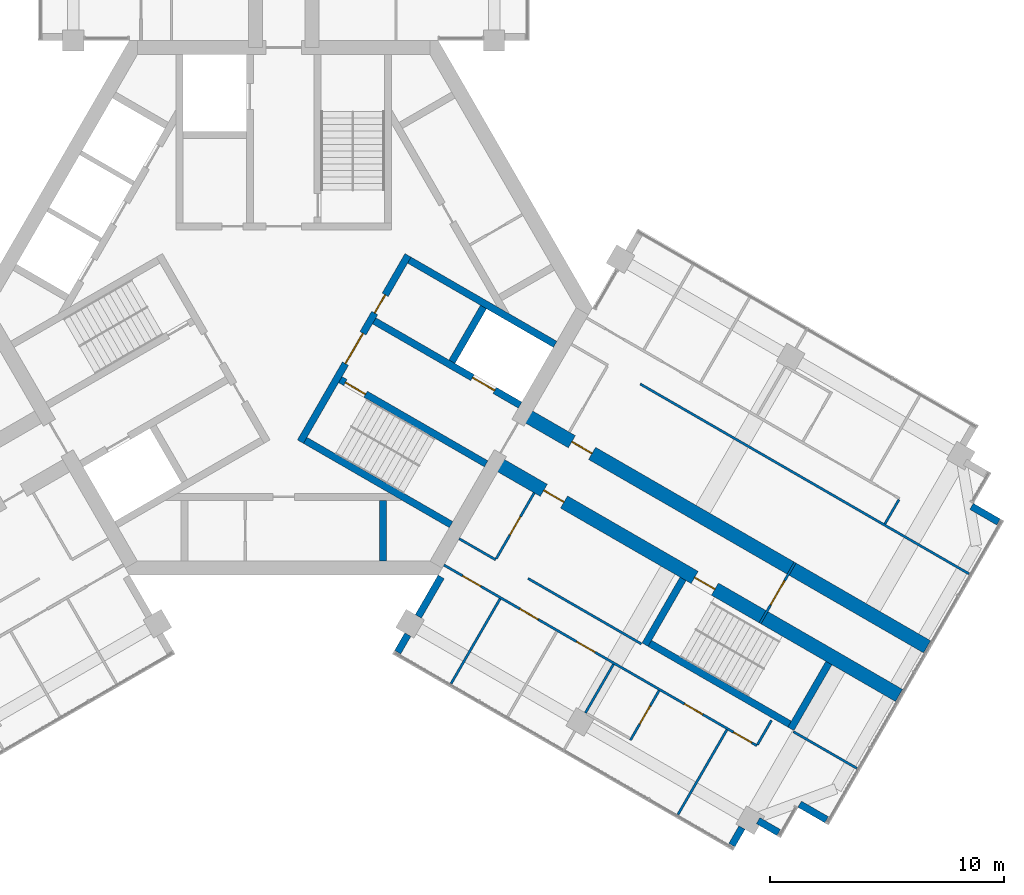
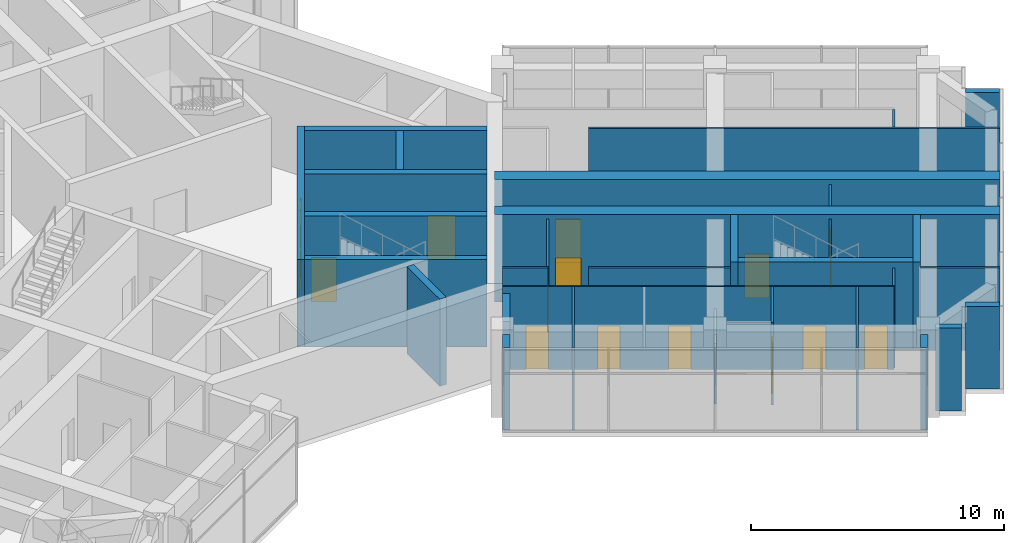
# One storey, part 11 of 14: 31 walls, 15 doors, 15 openings.
"""IFC4 building model written with IfcOpenShell, lengths in metres."""

from ifc_helpers import new_model, si_unit, direction, frame, frame_2d, origin, place, context, subcontext, project, spatial, rectangle, extrude, material, layer, layer_set, type_object, element, fill, save


model = new_model("IFC4")

# Units and contexts
model_context = context("Model", 3, precision=1e-05, world=origin(), true_north=direction((0.0, 1.0)))
body_context = subcontext(model_context, "Body", "Model", "MODEL_VIEW")
ifc_project = project(units=[si_unit("LENGTHUNIT", "METRE"), si_unit("AREAUNIT", "SQUARE_METRE"), si_unit("VOLUMEUNIT", "CUBIC_METRE"), si_unit("PLANEANGLEUNIT", "RADIAN"), si_unit("MASSUNIT", "GRAM", prefix="KILO")], contexts=[model_context])

# Site, building, storey
site_placement = place(None, origin())
site = spatial("IfcSite", under=ifc_project, at=site_placement, CompositionType="ELEMENT")
building_placement = place(site_placement, origin())
building = spatial("IfcBuilding", under=site, at=building_placement, Name="Impinga Residences", CompositionType="ELEMENT")
storey_placement = place(building_placement, frame((0.0, 0.0, 278.949951171875)))
storey = spatial("IfcBuildingStorey", under=building, at=storey_placement, Name="L70", CompositionType="ELEMENT", Elevation=278.949951171875)

# Wall, opening, door
ifc_material_1 = material(Name="Concrete C60/75", Category="concrete")
ifc_layer_1 = layer(ifc_material_1, 0.60009765625)
ifc_layer_set_1 = layer_set([ifc_layer_1], Name="Concrete C60/75")
wall_type_1 = type_object("IfcWallType", Name="BW3 corridor buttress wall, L46 to L73 600", PredefinedType="SHEAR", material=ifc_layer_set_1)
wall_1_placement = place(storey_placement, frame((10.240234375, -4.526611328125, 0.0), z_axis=(0.0, 0.0, 1.0), x_axis=(0.866025922281, -0.499999101937, 0.0)))
wall_1 = element("IfcWall", 1, at=wall_1_placement, inside=storey, type_object=wall_type_1, Name="Corridor wall BW3 EC L70", PredefinedType="SHEAR", context=body_context, shape_type="SweptSolid", body=[
    extrude(rectangle(XDim=19.93798828125, YDim=0.60009765625, at=frame_2d((9.968994140625, 0.0))), origin(), (0.0, 0.0, 1.0), 4.199951171875),
])
opening_1_placement = place(wall_1_placement, frame((2.39990234375, 0.0, 0.0)))
opening_1 = element("IfcOpeningElement", 2, at=opening_1_placement, cuts=wall_1, Name="Opening D1", PredefinedType="OPENING", context=body_context, shape_type="SweptSolid", body=[
    extrude(rectangle(XDim=1.0, YDim=2.10009765625, at=frame_2d((0.5, 1.050048828125))), frame((0.0, 0.31005859375, 0.0), z_axis=(0.0, -1.0, 0.0), x_axis=(1.0, 0.0, 0.0)), (0.0, 0.0, 1.0), 0.6201171875),
])
ifc_material_2 = material(Name="Timber door set", Category="wood")
door_type_1 = type_object("IfcDoorType", Name="D1 apartment entrance door 1000x2100", OperationType="SINGLE_SWING_LEFT", PredefinedType="DOOR", material=ifc_material_2)
door_1_placement = place(opening_1_placement, origin())
door_1 = element("IfcDoor", 3, at=door_1_placement, inside=storey, type_object=door_type_1, Name="Apartment L70-EA1 entrance", OperationType="SINGLE_SWING_LEFT", OverallHeight=2.10009765625, OverallWidth=1.0, PredefinedType="DOOR", context=body_context, shape_type="SweptSolid", body=[
    extrude(rectangle(XDim=1.0, YDim=2.10009765625, at=frame_2d((0.5, 1.050048828125))), frame((0.0, 0.02490234375, 0.0), z_axis=(0.0, -1.0, 0.0), x_axis=(1.0, 0.0, 0.0)), (0.0, 0.0, 1.0), 0.050048828125),
])
fill(opening_1, door_1)

# Wall, openings, doors
wall_2_placement = place(storey_placement, frame((9.040283203125, -6.60498046875, 0.0), z_axis=(0.0, 0.0, 1.0), x_axis=(0.866025922281, -0.499999101937, 0.0)))
wall_2 = element("IfcWall", 4, at=wall_2_placement, inside=storey, type_object=wall_type_1, Name="Corridor wall BW3 ED L70", PredefinedType="SHEAR", context=body_context, shape_type="SweptSolid", body=[
    extrude(rectangle(XDim=19.93798828125, YDim=0.60009765625, at=frame_2d((9.968994140625, 0.0))), origin(), (0.0, 0.0, 1.0), 4.199951171875),
])
opening_2_placement = place(wall_2_placement, frame((9.85009765625, 0.0, 0.0)))
opening_2 = element("IfcOpeningElement", 5, at=opening_2_placement, cuts=wall_2, Name="Opening D5", PredefinedType="OPENING", context=body_context, shape_type="SweptSolid", body=[
    extrude(rectangle(XDim=1.0, YDim=2.10009765625, at=frame_2d((0.5, 1.050048828125))), frame((0.0, 0.31005859375, 0.0), z_axis=(0.0, -1.0, 0.0), x_axis=(1.0, 0.0, 0.0)), (0.0, 0.0, 1.0), 0.6201171875),
])
opening_3_placement = place(wall_2_placement, frame((2.39990234375, 0.0, 0.0)))
opening_3 = element("IfcOpeningElement", 6, at=opening_3_placement, cuts=wall_2, Name="Opening D1", PredefinedType="OPENING", context=body_context, shape_type="SweptSolid", body=[
    extrude(rectangle(XDim=1.0, YDim=2.10009765625, at=frame_2d((0.5, 1.050048828125))), frame((0.0, 0.31005859375, 0.0), z_axis=(0.0, -1.0, 0.0), x_axis=(1.0, 0.0, 0.0)), (0.0, 0.0, 1.0), 0.6201171875),
])
door_2_placement = place(opening_3_placement, origin())
door_2 = element("IfcDoor", 7, at=door_2_placement, inside=storey, type_object=door_type_1, Name="Apartment L70-EF1 entrance", OperationType="SINGLE_SWING_LEFT", OverallHeight=2.10009765625, OverallWidth=1.0, PredefinedType="DOOR", context=body_context, shape_type="SweptSolid", body=[
    extrude(rectangle(XDim=1.0, YDim=2.10009765625, at=frame_2d((0.5, 1.050048828125))), frame((0.0, 0.02490234375, 0.0), z_axis=(0.0, -1.0, 0.0), x_axis=(1.0, 0.0, 0.0)), (0.0, 0.0, 1.0), 0.050048828125),
])
fill(opening_3, door_2)
door_type_2 = type_object("IfcDoorType", Name="D5 stair door 1000x2100", OperationType="SINGLE_SWING_LEFT", PredefinedType="DOOR", material=ifc_material_2)
door_3_placement = place(opening_2_placement, origin())
door_3 = element("IfcDoor", 8, at=door_3_placement, inside=storey, type_object=door_type_2, Name="Wing stair door E", OperationType="SINGLE_SWING_RIGHT", OverallHeight=2.10009765625, OverallWidth=1.0, PredefinedType="DOOR", context=body_context, shape_type="SweptSolid", body=[
    extrude(rectangle(XDim=1.0, YDim=2.10009765625, at=frame_2d((0.5, 1.050048828125))), frame((0.0, 0.02490234375, 0.0), z_axis=(0.0, -1.0, 0.0), x_axis=(1.0, 0.0, 0.0)), (0.0, 0.0, 1.0), 0.050048828125),
])
fill(opening_2, door_3)

# Wall, opening, door
ifc_material_3 = material(Name="Concrete blockwork", Category="masonry")
ifc_layer_2 = layer(ifc_material_3, 0.10009765625)
ifc_layer_set_2 = layer_set([ifc_layer_2], Name="CP1 core room partition, blockwork 100")
wall_type_2 = type_object("IfcWallType", Name="CP1 core room partition, blockwork 100", PredefinedType="PARTITIONING", material=ifc_layer_set_2)
wall_3_placement = place(storey_placement, frame((21.864990234375, -10.891845703125, 0.0), z_axis=(0.0, 0.0, 1.0), x_axis=(-0.50002537861, -0.866010750942, 0.0)))
wall_3 = element("IfcWall", 9, at=wall_3_placement, inside=storey, type_object=wall_type_2, Name="Core room partition, blockwork L70:E:LNG", PredefinedType="PARTITIONING", context=body_context, shape_type="SweptSolid", body=[
    extrude(rectangle(XDim=2.999755859375, YDim=0.10009765625, at=frame_2d((1.5, 0.0))), origin(), (0.0, 0.0, 1.0), 3.97998046875),
])
opening_4_placement = place(wall_3_placement, frame((0.89990234375, 0.0, 0.0)))
opening_4 = element("IfcOpeningElement", 10, at=opening_4_placement, cuts=wall_3, Name="Opening D3", PredefinedType="OPENING", context=body_context, shape_type="SweptSolid", body=[
    extrude(rectangle(XDim=1.199951171875, YDim=2.10009765625, at=frame_2d((0.60009765625, 1.050048828125))), frame((0.0, 0.06005859375, 0.0), z_axis=(0.0, -1.0, 0.0), x_axis=(1.0, 0.0, 0.0)), (0.0, 0.0, 1.0), 0.1201171875),
])
door_type_3 = type_object("IfcDoorType", Name="D3 room door, leaf and a half 1200x2100", OperationType="DOUBLE_SWING_LEFT", PredefinedType="DOOR", material=ifc_material_2)
door_4_placement = place(opening_4_placement, origin())
door_4 = element("IfcDoor", 11, at=door_4_placement, inside=storey, type_object=door_type_3, Name="Residents' lounge door E", OperationType="DOUBLE_SWING_LEFT", OverallHeight=2.10009765625, OverallWidth=1.199951171875, PredefinedType="DOOR", context=body_context, shape_type="SweptSolid", body=[
    extrude(rectangle(XDim=1.199951171875, YDim=2.10009765625, at=frame_2d((0.60009765625, 1.050048828125))), frame((0.0, 0.02490234375, 0.0), z_axis=(0.0, -1.0, 0.0), x_axis=(1.0, 0.0, 0.0)), (0.0, 0.0, 1.0), 0.050048828125),
])
fill(opening_4, door_4)

# Walls
ifc_material_4 = material(Name="Stone facing on blockwork", Category="masonry")
ifc_layer_3 = layer(ifc_material_4, 0.300048828125)
ifc_layer_set_3 = layer_set([ifc_layer_3], Name="EW2 external wall, stone facing on blockwork 300")
wall_type_3 = type_object("IfcWallType", Name="EW2 external wall, stone facing on blockwork 300", PredefinedType="SOLIDWALL", material=ifc_layer_set_3)
for number, where, z_axis, x_axis, name in (
    (12, (29.41015625, -8.492919921875, 0.0), (0.0, 0.0, 1.0), (0.866020521143, -0.500008456887, 0.0), "External wall EW2 L70"),
    (13, (23.212158203125, -21.888671875, 0.0), (0.0, 0.0, 1.0), (-0.866020521143, 0.500008456887, 0.0), "External wall EW2 L70"),
):
    element("IfcWall", number, at=place(storey_placement, frame(where, z_axis=z_axis, x_axis=x_axis)), inside=storey, type_object=wall_type_3, Name=name, PredefinedType="SOLIDWALL", context=body_context, shape_type="SweptSolid", body=[
        extrude(rectangle(XDim=1.330078125, YDim=0.300048828125, at=frame_2d((0.6650390625, 0.0))), origin(), (0.0, 0.0, 1.0), 3.97998046875),
    ])
wall_4_placement = place(storey_placement, frame((21.1630859375, -22.4375, 0.0), z_axis=(0.0, 0.0, 1.0), x_axis=(-0.866133525259, 0.499812681335, 0.0)))
element("IfcWall", 14, at=wall_4_placement, inside=storey, type_object=wall_type_3, Name="External wall EW2 L70", PredefinedType="SOLIDWALL", context=body_context, shape_type="SweptSolid", body=[
    extrude(rectangle(XDim=1.01513671875, YDim=0.300048828125, at=frame_2d((0.507568359375, 0.0))), origin(), (0.0, 0.0, 1.0), 3.97998046875),
])
wall_5_placement = place(storey_placement, frame((19.5927734375, -22.227294921875, 0.0), z_axis=(0.0, 0.0, 1.0), x_axis=(-0.499885902046, -0.866091268248, 0.0)))
element("IfcWall", 15, at=wall_5_placement, inside=storey, type_object=wall_type_3, Name="External wall EW2 L70", PredefinedType="SOLIDWALL", context=body_context, shape_type="SweptSolid", body=[
    extrude(rectangle(XDim=0.862060546875, YDim=0.300048828125, at=frame_2d((0.43115234375, 0.0))), origin(), (0.0, 0.0, 1.0), 3.97998046875),
])
wall_6_placement = place(storey_placement, frame((4.872314453125, -14.723876953125, 0.0), z_axis=(0.0, 0.0, 1.0), x_axis=(0.500023708017, 0.866011715522, 0.0)))
element("IfcWall", 16, at=wall_6_placement, inside=storey, type_object=wall_type_3, Name="External wall EW2 L70", PredefinedType="SOLIDWALL", context=body_context, shape_type="SweptSolid", body=[
    extrude(rectangle(XDim=0.865234375, YDim=0.300048828125, at=frame_2d((0.4326171875, 0.0))), origin(), (0.0, 0.0, 1.0), 3.97998046875),
])
wall_7_placement = place(storey_placement, frame((5.7548828125, -13.1953125, 0.0), z_axis=(0.0, 0.0, 1.0), x_axis=(0.500043961785, 0.866000020948, 0.0)))
element("IfcWall", 17, at=wall_7_placement, inside=storey, type_object=wall_type_3, Name="External wall EW2 L70", PredefinedType="SOLIDWALL", context=body_context, shape_type="SweptSolid", body=[
    extrude(rectangle(XDim=1.949951171875, YDim=0.300048828125, at=frame_2d((0.97509765625, 0.0))), origin(), (0.0, 0.0, 1.0), 3.97998046875),
])
ifc_material_5 = material(Name="Gypsum board on steel studs", Category="steel")
ifc_layer_4 = layer(ifc_material_5, 0.10009765625)
ifc_layer_set_4 = layer_set([ifc_layer_4], Name="Gypsum board on steel studs")
wall_type_4 = type_object("IfcWallType", Name="IP1 partition 100", PredefinedType="PARTITIONING", material=ifc_layer_set_4)
wall_8_placement = place(storey_placement, frame((15.244384765625, -3.2587890625, 0.0), z_axis=(0.0, 0.0, 1.0), x_axis=(0.866023082401, -0.500004020733, 0.0)))
element("IfcWall", 18, at=wall_8_placement, inside=storey, type_object=wall_type_4, Name="Partition L70-EA1:DIV1", PredefinedType="PARTITIONING", context=body_context, shape_type="SweptSolid", body=[
    extrude(rectangle(XDim=16.237060546875, YDim=0.10009765625, at=frame_2d((8.11865234375, 0.0))), origin(), (0.0, 0.0, 1.0), 3.97998046875),
])
wall_9_placement = place(storey_placement, frame((25.705078125, -9.240478515625, 0.0), z_axis=(0.0, 0.0, 1.0), x_axis=(0.50012165622, 0.865955154139, 0.0)))
element("IfcWall", 19, at=wall_9_placement, inside=storey, type_object=wall_type_4, Name="Partition L70-EA1:SE1", PredefinedType="PARTITIONING", context=body_context, shape_type="SweptSolid", body=[
    extrude(rectangle(XDim=1.199951171875, YDim=0.10009765625, at=frame_2d((0.60009765625, 0.0))), origin(), (0.0, 0.0, 1.0), 3.97998046875),
])
wall_10_placement = place(storey_placement, frame((7.5, -9.872802734375, 0.0), z_axis=(0.0, 0.0, 1.0), x_axis=(0.866047807691, -0.499961193289, 0.0)))
element("IfcWall", 20, at=wall_10_placement, inside=storey, type_object=wall_type_4, Name="Partition L70-EF1:DIV0", PredefinedType="PARTITIONING", context=body_context, shape_type="SweptSolid", body=[
    extrude(rectangle(XDim=1.800048828125, YDim=0.10009765625, at=frame_2d((0.89990234375, 0.0))), origin(), (0.0, 0.0, 1.0), 3.97998046875),
])
wall_11_placement = place(storey_placement, frame((10.444580078125, -11.57275390625, 0.0), z_axis=(0.0, 0.0, 1.0), x_axis=(0.866015695474, -0.500016814911, 0.0)))
element("IfcWall", 21, at=wall_11_placement, inside=storey, type_object=wall_type_4, Name="Partition L70-EF1:DIV1", PredefinedType="PARTITIONING", context=body_context, shape_type="SweptSolid", body=[
    extrude(rectangle(XDim=5.599853515625, YDim=0.10009765625, at=frame_2d((2.7998046875, 0.0))), origin(), (0.0, 0.0, 1.0), 3.97998046875),
])
wall_12_placement = place(storey_placement, frame((21.789306640625, -18.122802734375, 0.0), z_axis=(0.0, 0.0, 1.0), x_axis=(0.8660508054, -0.499956000529, 0.0)))
element("IfcWall", 22, at=wall_12_placement, inside=storey, type_object=wall_type_4, Name="Partition L70-EF1:DIV2", PredefinedType="PARTITIONING", context=body_context, shape_type="SweptSolid", body=[
    extrude(rectangle(XDim=3.136962890625, YDim=0.10009765625, at=frame_2d((1.568359375, 0.0))), origin(), (0.0, 0.0, 1.0), 3.97998046875),
])

# Wall, openings, doors
wall_13_placement = place(storey_placement, frame((6.85009765625, -10.99853515625, 0.0), z_axis=(0.0, 0.0, 1.0), x_axis=(0.866019273868, -0.500010617176, 0.0)))
wall_13 = element("IfcWall", 23, at=wall_13_placement, inside=storey, type_object=wall_type_4, Name="Partition L70-EF1:STRIP", PredefinedType="PARTITIONING", context=body_context, shape_type="SweptSolid", body=[
    extrude(rectangle(XDim=15.449951171875, YDim=0.10009765625, at=frame_2d((7.72509765625, 0.0))), origin(), (0.0, 0.0, 1.0), 3.97998046875),
])
opening_5_placement = place(wall_13_placement, frame((0.925048828125, 0.0, 0.0)))
opening_5 = element("IfcOpeningElement", 24, at=opening_5_placement, cuts=wall_13, Name="Opening D2", PredefinedType="OPENING", context=body_context, shape_type="SweptSolid", body=[
    extrude(rectangle(XDim=0.89990234375, YDim=2.10009765625, at=frame_2d((0.449951171875, 1.050048828125))), frame((0.0, 0.06005859375, 0.0), z_axis=(0.0, -1.0, 0.0), x_axis=(1.0, 0.0, 0.0)), (0.0, 0.0, 1.0), 0.1201171875),
])
opening_6_placement = place(wall_13_placement, frame((3.75, 0.0, 0.0)))
opening_6 = element("IfcOpeningElement", 25, at=opening_6_placement, cuts=wall_13, Name="Opening D2", PredefinedType="OPENING", context=body_context, shape_type="SweptSolid", body=[
    extrude(rectangle(XDim=0.89990234375, YDim=2.10009765625, at=frame_2d((0.449951171875, 1.050048828125))), frame((0.0, 0.06005859375, 0.0), z_axis=(0.0, -1.0, 0.0), x_axis=(1.0, 0.0, 0.0)), (0.0, 0.0, 1.0), 0.1201171875),
])
opening_7_placement = place(wall_13_placement, frame((6.550048828125, 0.0, 0.0)))
opening_7 = element("IfcOpeningElement", 26, at=opening_7_placement, cuts=wall_13, Name="Opening D2", PredefinedType="OPENING", context=body_context, shape_type="SweptSolid", body=[
    extrude(rectangle(XDim=0.89990234375, YDim=2.10009765625, at=frame_2d((0.449951171875, 1.050048828125))), frame((0.0, 0.06005859375, 0.0), z_axis=(0.0, -1.0, 0.0), x_axis=(1.0, 0.0, 0.0)), (0.0, 0.0, 1.0), 0.1201171875),
])
opening_8_placement = place(wall_13_placement, frame((11.875, 0.0, 0.0)))
opening_8 = element("IfcOpeningElement", 27, at=opening_8_placement, cuts=wall_13, Name="Opening D2", PredefinedType="OPENING", context=body_context, shape_type="SweptSolid", body=[
    extrude(rectangle(XDim=0.89990234375, YDim=2.10009765625, at=frame_2d((0.449951171875, 1.050048828125))), frame((0.0, 0.06005859375, 0.0), z_axis=(0.0, -1.0, 0.0), x_axis=(1.0, 0.0, 0.0)), (0.0, 0.0, 1.0), 0.1201171875),
])
opening_9_placement = place(wall_13_placement, frame((14.300048828125, 0.0, 0.0)))
opening_9 = element("IfcOpeningElement", 28, at=opening_9_placement, cuts=wall_13, Name="Opening D2", PredefinedType="OPENING", context=body_context, shape_type="SweptSolid", body=[
    extrude(rectangle(XDim=0.89990234375, YDim=2.10009765625, at=frame_2d((0.449951171875, 1.050048828125))), frame((0.0, 0.06005859375, 0.0), z_axis=(0.0, -1.0, 0.0), x_axis=(1.0, 0.0, 0.0)), (0.0, 0.0, 1.0), 0.1201171875),
])
door_type_4 = type_object("IfcDoorType", Name="D2 internal door 900x2100", OperationType="SINGLE_SWING_LEFT", PredefinedType="DOOR", material=ifc_material_2)
door_5_placement = place(opening_5_placement, origin())
door_5 = element("IfcDoor", 29, at=door_5_placement, inside=storey, type_object=door_type_4, Name="Apartment L70-EF1 room door", OperationType="SINGLE_SWING_LEFT", OverallHeight=2.10009765625, OverallWidth=0.89990234375, PredefinedType="DOOR", context=body_context, shape_type="SweptSolid", body=[
    extrude(rectangle(XDim=0.89990234375, YDim=2.10009765625, at=frame_2d((0.449951171875, 1.050048828125))), frame((0.0, 0.02490234375, 0.0), z_axis=(0.0, -1.0, 0.0), x_axis=(1.0, 0.0, 0.0)), (0.0, 0.0, 1.0), 0.050048828125),
])
fill(opening_5, door_5)
door_6_placement = place(opening_6_placement, origin())
door_6 = element("IfcDoor", 30, at=door_6_placement, inside=storey, type_object=door_type_4, Name="Apartment L70-EF1 room door", OperationType="SINGLE_SWING_LEFT", OverallHeight=2.10009765625, OverallWidth=0.89990234375, PredefinedType="DOOR", context=body_context, shape_type="SweptSolid", body=[
    extrude(rectangle(XDim=0.89990234375, YDim=2.10009765625, at=frame_2d((0.449951171875, 1.050048828125))), frame((0.0, 0.02490234375, 0.0), z_axis=(0.0, -1.0, 0.0), x_axis=(1.0, 0.0, 0.0)), (0.0, 0.0, 1.0), 0.050048828125),
])
fill(opening_6, door_6)
door_7_placement = place(opening_7_placement, origin())
door_7 = element("IfcDoor", 31, at=door_7_placement, inside=storey, type_object=door_type_4, Name="Apartment L70-EF1 room door", OperationType="SINGLE_SWING_LEFT", OverallHeight=2.10009765625, OverallWidth=0.89990234375, PredefinedType="DOOR", context=body_context, shape_type="SweptSolid", body=[
    extrude(rectangle(XDim=0.89990234375, YDim=2.10009765625, at=frame_2d((0.449951171875, 1.050048828125))), frame((0.0, 0.02490234375, 0.0), z_axis=(0.0, -1.0, 0.0), x_axis=(1.0, 0.0, 0.0)), (0.0, 0.0, 1.0), 0.050048828125),
])
fill(opening_7, door_7)
door_8_placement = place(opening_8_placement, origin())
door_8 = element("IfcDoor", 32, at=door_8_placement, inside=storey, type_object=door_type_4, Name="Apartment L70-EF1 room door", OperationType="SINGLE_SWING_RIGHT", OverallHeight=2.10009765625, OverallWidth=0.89990234375, PredefinedType="DOOR", context=body_context, shape_type="SweptSolid", body=[
    extrude(rectangle(XDim=0.89990234375, YDim=2.10009765625, at=frame_2d((0.449951171875, 1.050048828125))), frame((0.0, 0.02490234375, 0.0), z_axis=(0.0, -1.0, 0.0), x_axis=(1.0, 0.0, 0.0)), (0.0, 0.0, 1.0), 0.050048828125),
])
fill(opening_8, door_8)
door_9_placement = place(opening_9_placement, origin())
door_9 = element("IfcDoor", 33, at=door_9_placement, inside=storey, type_object=door_type_4, Name="Apartment L70-EF1 room door", OperationType="SINGLE_SWING_RIGHT", OverallHeight=2.10009765625, OverallWidth=0.89990234375, PredefinedType="DOOR", context=body_context, shape_type="SweptSolid", body=[
    extrude(rectangle(XDim=0.89990234375, YDim=2.10009765625, at=frame_2d((0.449951171875, 1.050048828125))), frame((0.0, 0.02490234375, 0.0), z_axis=(0.0, -1.0, 0.0), x_axis=(1.0, 0.0, 0.0)), (0.0, 0.0, 1.0), 0.050048828125),
])
fill(opening_9, door_9)

# Wall
wall_14_placement = place(storey_placement, frame((20.85498046875, -17.640869140625, 0.0), z_axis=(0.0, 0.0, 1.0), x_axis=(-0.499880961361, -0.866094119867, 0.0)))
element("IfcWall", 34, at=wall_14_placement, inside=storey, type_object=wall_type_4, Name="Partition L70-EF1:SE1", PredefinedType="PARTITIONING", context=body_context, shape_type="SweptSolid", body=[
    extrude(rectangle(XDim=1.199951171875, YDim=0.10009765625, at=frame_2d((0.60009765625, 0.0))), origin(), (0.0, 0.0, 1.0), 3.97998046875),
])

# Wall, opening, door
wall_15_placement = place(storey_placement, frame((10.708740234375, -7.914794921875, 0.0), z_axis=(0.0, 0.0, 1.0), x_axis=(-0.499984717929, -0.866034226713, 0.0)))
wall_15 = element("IfcWall", 35, at=wall_15_placement, inside=storey, type_object=wall_type_4, Name="Partition L70-EF1:IB1", PredefinedType="PARTITIONING", context=body_context, shape_type="SweptSolid", body=[
    extrude(rectangle(XDim=3.25, YDim=0.10009765625, at=frame_2d((1.625, 0.0))), origin(), (0.0, 0.0, 1.0), 3.97998046875),
])
opening_10_placement = place(wall_15_placement, frame((1.175048828125, 0.0, 0.0)))
opening_10 = element("IfcOpeningElement", 36, at=opening_10_placement, cuts=wall_15, Name="Opening D2", PredefinedType="OPENING", context=body_context, shape_type="SweptSolid", body=[
    extrude(rectangle(XDim=0.89990234375, YDim=2.10009765625, at=frame_2d((0.449951171875, 1.050048828125))), frame((0.0, 0.06005859375, 0.0), z_axis=(0.0, -1.0, 0.0), x_axis=(1.0, 0.0, 0.0)), (0.0, 0.0, 1.0), 0.1201171875),
])
door_10_placement = place(opening_10_placement, origin())
door_10 = element("IfcDoor", 37, at=door_10_placement, inside=storey, type_object=door_type_4, Name="Apartment L70-EF1 bathroom door", OperationType="SINGLE_SWING_LEFT", OverallHeight=2.10009765625, OverallWidth=0.89990234375, PredefinedType="DOOR", context=body_context, shape_type="SweptSolid", body=[
    extrude(rectangle(XDim=0.89990234375, YDim=2.10009765625, at=frame_2d((0.449951171875, 1.050048828125))), frame((0.0, 0.02490234375, 0.0), z_axis=(0.0, -1.0, 0.0), x_axis=(1.0, 0.0, 0.0)), (0.0, 0.0, 1.0), 0.050048828125),
])
fill(opening_10, door_10)

# Walls
wall_16_placement = place(storey_placement, frame((9.249755859375, -12.44189453125, 0.0), z_axis=(0.0, 0.0, 1.0), x_axis=(-0.500008475426, -0.86602051044, 0.0)))
element("IfcWall", 38, at=wall_16_placement, inside=storey, type_object=wall_type_4, Name="Partition L70-EF1:OB1", PredefinedType="PARTITIONING", context=body_context, shape_type="SweptSolid", body=[
    extrude(rectangle(XDim=4.18701171875, YDim=0.10009765625, at=frame_2d((2.093505859375, 0.0))), origin(), (0.0, 0.0, 1.0), 3.97998046875),
])
wall_17_placement = place(storey_placement, frame((14.099609375, -15.241943359375, 0.0), z_axis=(0.0, 0.0, 1.0), x_axis=(-0.500001309137, -0.866024647952, 0.0)))
element("IfcWall", 39, at=wall_17_placement, inside=storey, type_object=wall_type_4, Name="Partition L70-EF1:OB3", PredefinedType="PARTITIONING", context=body_context, shape_type="SweptSolid", body=[
    extrude(rectangle(XDim=2.39990234375, YDim=0.10009765625, at=frame_2d((1.199951171875, 0.0))), origin(), (0.0, 0.0, 1.0), 2.929931640625),
])
wall_18_placement = place(storey_placement, frame((18.949462890625, -18.041748046875, 0.0), z_axis=(0.0, 0.0, 1.0), x_axis=(-0.499983227221, -0.866035087336, 0.0)))
element("IfcWall", 40, at=wall_18_placement, inside=storey, type_object=wall_type_4, Name="Partition L70-EF1:OB4", PredefinedType="PARTITIONING", context=body_context, shape_type="SweptSolid", body=[
    extrude(rectangle(XDim=4.187255859375, YDim=0.10009765625, at=frame_2d((2.09375, 0.0))), origin(), (0.0, 0.0, 1.0), 3.97998046875),
])

# Wall, opening, door
wall_19_placement = place(storey_placement, frame((16.048095703125, -16.366943359375, 0.0), z_axis=(0.0, 0.0, 1.0), x_axis=(-0.499987006516, -0.866032905446, 0.0)))
wall_19 = element("IfcWall", 41, at=wall_19_placement, inside=storey, type_object=wall_type_4, Name="Partition L70-EF1:EN1", PredefinedType="PARTITIONING", context=body_context, shape_type="SweptSolid", body=[
    extrude(rectangle(XDim=2.44970703125, YDim=0.10009765625, at=frame_2d((1.224853515625, 0.0))), origin(), (0.0, 0.0, 1.0), 3.97998046875),
])
opening_11_placement = place(wall_19_placement, frame((0.75, 0.0, 0.0)))
opening_11 = element("IfcOpeningElement", 42, at=opening_11_placement, cuts=wall_19, Name="Opening D2", PredefinedType="OPENING", context=body_context, shape_type="SweptSolid", body=[
    extrude(rectangle(XDim=0.89990234375, YDim=2.10009765625, at=frame_2d((0.449951171875, 1.050048828125))), frame((0.0, 0.06005859375, 0.0), z_axis=(0.0, -1.0, 0.0), x_axis=(1.0, 0.0, 0.0)), (0.0, 0.0, 1.0), 0.1201171875),
])
door_11_placement = place(opening_11_placement, origin())
door_11 = element("IfcDoor", 43, at=door_11_placement, inside=storey, type_object=door_type_4, Name="Apartment L70-EF1 en-suite door", OperationType="SINGLE_SWING_LEFT", OverallHeight=2.10009765625, OverallWidth=0.89990234375, PredefinedType="DOOR", context=body_context, shape_type="SweptSolid", body=[
    extrude(rectangle(XDim=0.89990234375, YDim=2.10009765625, at=frame_2d((0.449951171875, 1.050048828125))), frame((0.0, 0.02490234375, 0.0), z_axis=(0.0, -1.0, 0.0), x_axis=(1.0, 0.0, 0.0)), (0.0, 0.0, 1.0), 0.050048828125),
])
fill(opening_11, door_11)

# Walls
ifc_layer_5 = layer(ifc_material_1, 0.300048828125)
ifc_layer_set_5 = layer_set([ifc_layer_5], Name="Concrete C60/75")
wall_type_5 = type_object("IfcWallType", Name="SE1 wing stair enclosure wall 300", PredefinedType="SOLIDWALL", material=ifc_layer_set_5)
for number, where, z_axis, x_axis, name in (
    (44, (17.07421875, -11.58984375, 0.0), (0.0, 0.0, 1.0), (-0.500017246033, -0.866015446554, 0.0), "Stair enclosure wall SE1 E END0 L70"),
    (45, (23.3095703125, -15.189697265625, 0.0), (0.0, 0.0, 1.0), (-0.499984717929, -0.866034226713, 0.0), "Stair enclosure wall SE1 E END1 L70"),
):
    element("IfcWall", number, at=place(storey_placement, frame(where, z_axis=z_axis, x_axis=x_axis)), inside=storey, type_object=wall_type_5, Name=name, PredefinedType="SOLIDWALL", context=body_context, shape_type="SweptSolid", body=[
        extrude(rectangle(XDim=3.25, YDim=0.300048828125, at=frame_2d((1.625, 0.0))), origin(), (0.0, 0.0, 1.0), 4.199951171875),
    ])
wall_20_placement = place(storey_placement, frame((15.654052734375, -14.349365234375, 0.0), z_axis=(0.0, 0.0, 1.0), x_axis=(0.866013532718, -0.500020560727, 0.0)))
element("IfcWall", 46, at=wall_20_placement, inside=storey, type_object=wall_type_5, Name="Stair enclosure wall SE1 E OUT L70", PredefinedType="SOLIDWALL", context=body_context, shape_type="SweptSolid", body=[
    extrude(rectangle(XDim=6.900146484375, YDim=0.300048828125, at=frame_2d((3.4501953125, 0.0))), origin(), (0.0, 0.0, 1.0), 4.199951171875),
])

# Wall, openings, doors
ifc_material_6 = material(Name="Concrete C70/85", Category="concrete")
ifc_layer_6 = layer(ifc_material_6, 0.300048828125)
ifc_layer_set_6 = layer_set([ifc_layer_6], Name="Concrete C70/85")
wall_type_6 = type_object("IfcWallType", Name="SW5 core inner wall, stairs, shafts and lobbies 300", PredefinedType="SHEAR", material=ifc_layer_set_6)
wall_21_placement = place(storey_placement, frame((5.313720703125, 2.24365234375, 0.0), z_axis=(0.0, 0.0, 1.0), x_axis=(-0.499995050369, -0.866028261437, 0.0)))
wall_21 = element("IfcWall", 47, at=wall_21_placement, inside=storey, type_object=wall_type_6, Name="Core wall SW5 E:ZONE L70", PredefinedType="SHEAR", context=body_context, shape_type="SweptSolid", body=[
    extrude(rectangle(XDim=9.19970703125, YDim=0.300048828125, at=frame_2d((4.599853515625, 0.0))), origin(), (0.0, 0.0, 1.0), 4.199951171875),
])
opening_12_placement = place(wall_21_placement, frame((3.85009765625, 0.0, 0.0)))
opening_12 = element("IfcOpeningElement", 48, at=opening_12_placement, cuts=wall_21, Name="Opening D4", PredefinedType="OPENING", context=body_context, shape_type="SweptSolid", body=[
    extrude(rectangle(XDim=1.5, YDim=2.10009765625, at=frame_2d((0.75, 1.050048828125))), frame((0.0, 0.159912109375, 0.0), z_axis=(0.0, -1.0, 0.0), x_axis=(1.0, 0.0, 0.0)), (0.0, 0.0, 1.0), 0.320068359375),
])
opening_13_placement = place(wall_21_placement, frame((1.949951171875, 0.0, 0.0)))
opening_13 = element("IfcOpeningElement", 49, at=opening_13_placement, cuts=wall_21, Name="Opening D6", PredefinedType="OPENING", context=body_context, shape_type="SweptSolid", body=[
    extrude(rectangle(XDim=0.89990234375, YDim=2.10009765625, at=frame_2d((0.449951171875, 1.050048828125))), frame((0.0, 0.159912109375, 0.0), z_axis=(0.0, -1.0, 0.0), x_axis=(1.0, 0.0, 0.0)), (0.0, 0.0, 1.0), 0.320068359375),
])
door_type_5 = type_object("IfcDoorType", Name="D4 lobby door pair 1500x2100", OperationType="DOUBLE_DOOR_DOUBLE_SWING", PredefinedType="DOOR", material=ifc_material_2)
door_12_placement = place(opening_12_placement, origin())
door_12 = element("IfcDoor", 50, at=door_12_placement, inside=storey, type_object=door_type_5, Name="Firefighting lobby door E", OperationType="DOUBLE_DOOR_DOUBLE_SWING", OverallHeight=2.10009765625, OverallWidth=1.5, PredefinedType="DOOR", context=body_context, shape_type="SweptSolid", body=[
    extrude(rectangle(XDim=1.5, YDim=2.10009765625, at=frame_2d((0.75, 1.050048828125))), frame((0.0, 0.02490234375, 0.0), z_axis=(0.0, -1.0, 0.0), x_axis=(1.0, 0.0, 0.0)), (0.0, 0.0, 1.0), 0.050048828125),
])
fill(opening_12, door_12)
door_type_6 = type_object("IfcDoorType", Name="D6 riser and store door 900x2100", OperationType="SINGLE_SWING_LEFT", PredefinedType="DOOR", material=ifc_material_2)
door_13_placement = place(opening_13_placement, origin())
door_13 = element("IfcDoor", 51, at=door_13_placement, inside=storey, type_object=door_type_6, Name="Riser door E", OperationType="SINGLE_SWING_LEFT", OverallHeight=2.10009765625, OverallWidth=0.89990234375, PredefinedType="DOOR", context=body_context, shape_type="SweptSolid", body=[
    extrude(rectangle(XDim=0.89990234375, YDim=2.10009765625, at=frame_2d((0.449951171875, 1.050048828125))), frame((0.0, 0.02490234375, 0.0), z_axis=(0.0, -1.0, 0.0), x_axis=(1.0, 0.0, 0.0)), (0.0, 0.0, 1.0), 0.050048828125),
])
fill(opening_13, door_13)

# Wall, opening, door
wall_22_placement = place(storey_placement, frame((2.418701171875, -3.07080078125, 0.0), z_axis=(0.0, 0.0, 1.0), x_axis=(0.86603146111, -0.499989508258, 0.0)))
wall_22 = element("IfcWall", 52, at=wall_22_placement, inside=storey, type_object=wall_type_6, Name="Core wall SW5 E:ST-IN L70", PredefinedType="SHEAR", context=body_context, shape_type="SweptSolid", body=[
    extrude(rectangle(XDim=7.201416015625, YDim=0.300048828125, at=frame_2d((3.6005859375, 0.0))), origin(), (0.0, 0.0, 1.0), 4.199951171875),
])
opening_14_placement = place(wall_22_placement, frame((0.25, 0.0, 0.0)))
opening_14 = element("IfcOpeningElement", 53, at=opening_14_placement, cuts=wall_22, Name="Opening D5", PredefinedType="OPENING", context=body_context, shape_type="SweptSolid", body=[
    extrude(rectangle(XDim=1.0, YDim=2.10009765625, at=frame_2d((0.5, 1.050048828125))), frame((0.0, 0.159912109375, 0.0), z_axis=(0.0, -1.0, 0.0), x_axis=(1.0, 0.0, 0.0)), (0.0, 0.0, 1.0), 0.320068359375),
])
door_14_placement = place(opening_14_placement, origin())
door_14 = element("IfcDoor", 54, at=door_14_placement, inside=storey, type_object=door_type_2, Name="Stair door E", OperationType="SINGLE_SWING_LEFT", OverallHeight=2.10009765625, OverallWidth=1.0, PredefinedType="DOOR", context=body_context, shape_type="SweptSolid", body=[
    extrude(rectangle(XDim=1.0, YDim=2.10009765625, at=frame_2d((0.5, 1.050048828125))), frame((0.0, 0.02490234375, 0.0), z_axis=(0.0, -1.0, 0.0), x_axis=(1.0, 0.0, 0.0)), (0.0, 0.0, 1.0), 0.050048828125),
])
fill(opening_14, door_14)

# Wall
wall_23_placement = place(storey_placement, frame((0.918701171875, -5.668701171875, 0.0), z_axis=(0.0, 0.0, 1.0), x_axis=(0.866016781112, -0.50001493461, 0.0)))
element("IfcWall", 55, at=wall_23_placement, inside=storey, type_object=wall_type_6, Name="Core wall SW5 E:ST-OUT L70", PredefinedType="SHEAR", context=body_context, shape_type="SweptSolid", body=[
    extrude(rectangle(XDim=7.201416015625, YDim=0.300048828125, at=frame_2d((3.6005859375, 0.0))), origin(), (0.0, 0.0, 1.0), 4.199951171875),
])

# Wall, opening, door
wall_24_placement = place(storey_placement, frame((3.86865234375, -0.559326171875, 0.0), z_axis=(0.0, 0.0, 1.0), x_axis=(0.866039935929, -0.499974828743, 0.0)))
wall_24 = element("IfcWall", 56, at=wall_24_placement, inside=storey, type_object=wall_type_6, Name="Core wall SW5 E:FF-IN L70", PredefinedType="SHEAR", context=body_context, shape_type="SweptSolid", body=[
    extrude(rectangle(XDim=7.201416015625, YDim=0.300048828125, at=frame_2d((3.6005859375, 0.0))), origin(), (0.0, 0.0, 1.0), 4.199951171875),
])
opening_15_placement = place(wall_24_placement, frame((4.85009765625, 0.0, 0.0)))
opening_15 = element("IfcOpeningElement", 57, at=opening_15_placement, cuts=wall_24, Name="Opening LD2", PredefinedType="OPENING", context=body_context, shape_type="SweptSolid", body=[
    extrude(rectangle(XDim=1.10009765625, YDim=2.10009765625, at=frame_2d((0.550048828125, 1.050048828125))), frame((0.0, 0.159912109375, 0.0), z_axis=(0.0, -1.0, 0.0), x_axis=(1.0, 0.0, 0.0)), (0.0, 0.0, 1.0), 0.320068359375),
])
ifc_material_7 = material(Name="Steel lift landing door", Category="steel")
door_type_7 = type_object("IfcDoorType", Name="LD2 firefighting lift landing door 1100x2100", OperationType="DOUBLE_DOOR_SLIDING", PredefinedType="DOOR", material=ifc_material_7)
door_15_placement = place(opening_15_placement, origin())
door_15 = element("IfcDoor", 58, at=door_15_placement, inside=storey, type_object=door_type_7, Name="Firefighting lift landing door F3", OperationType="DOUBLE_DOOR_SLIDING", OverallHeight=2.10009765625, OverallWidth=1.10009765625, PredefinedType="DOOR", context=body_context, shape_type="SweptSolid", body=[
    extrude(rectangle(XDim=1.10009765625, YDim=2.10009765625, at=frame_2d((0.550048828125, 1.050048828125))), frame((0.0, 0.02490234375, 0.0), z_axis=(0.0, -1.0, 0.0), x_axis=(1.0, 0.0, 0.0)), (0.0, 0.0, 1.0), 0.050048828125),
])
fill(opening_15, door_15)

# Walls
wall_25_placement = place(storey_placement, frame((5.36865234375, 2.038818359375, 0.0), z_axis=(0.0, 0.0, 1.0), x_axis=(0.866025256649, -0.500000254847, 0.0)))
element("IfcWall", 59, at=wall_25_placement, inside=storey, type_object=wall_type_6, Name="Core wall SW5 E:FF-OUT L70", PredefinedType="SHEAR", context=body_context, shape_type="SweptSolid", body=[
    extrude(rectangle(XDim=7.20166015625, YDim=0.300048828125, at=frame_2d((3.600830078125, 0.0))), origin(), (0.0, 0.0, 1.0), 4.199951171875),
])
wall_26_placement = place(storey_placement, frame((8.541259765625, 0.033935546875, 0.0), z_axis=(0.0, 0.0, 1.0), x_axis=(-0.50000943426, -0.866019956843, 0.0)))
element("IfcWall", 60, at=wall_26_placement, inside=storey, type_object=wall_type_6, Name="Core wall SW5 E:FF-RS L70", PredefinedType="SHEAR", context=body_context, shape_type="SweptSolid", body=[
    extrude(rectangle(XDim=2.7001953125, YDim=0.300048828125, at=frame_2d((1.35009765625, 0.0))), origin(), (0.0, 0.0, 1.0), 4.199951171875),
])
wall_27_placement = place(storey_placement, frame((4.25, -8.2314453125, 0.0), z_axis=(0.0, 0.0, 1.0), x_axis=(0.0, -1.0, 0.0)))
element("IfcWall", 61, at=wall_27_placement, inside=storey, type_object=wall_type_6, Name="Core wall SW5 N:BANK-L L70", PredefinedType="SHEAR", context=body_context, shape_type="SweptSolid", body=[
    extrude(rectangle(XDim=2.60009765625, YDim=0.300048828125, at=frame_2d((1.300048828125, 0.0))), origin(), (0.0, 0.0, 1.0), 4.199951171875),
])

save(model, "model.ifc")
